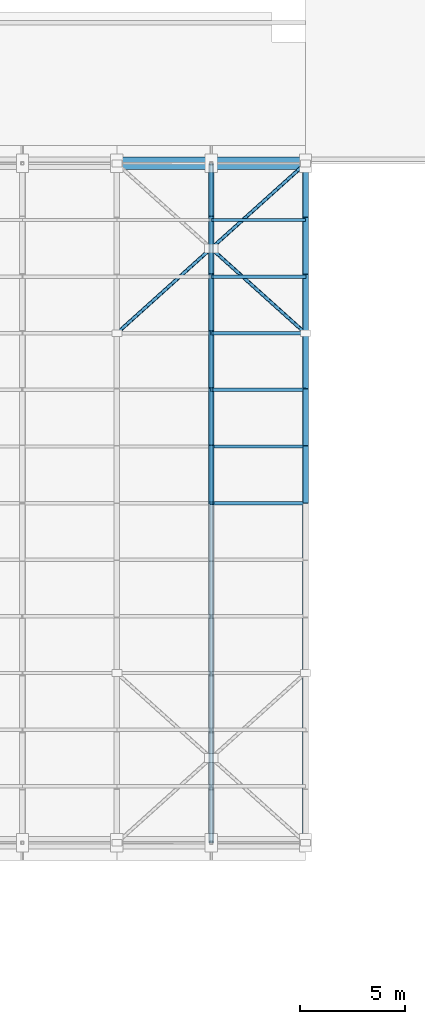
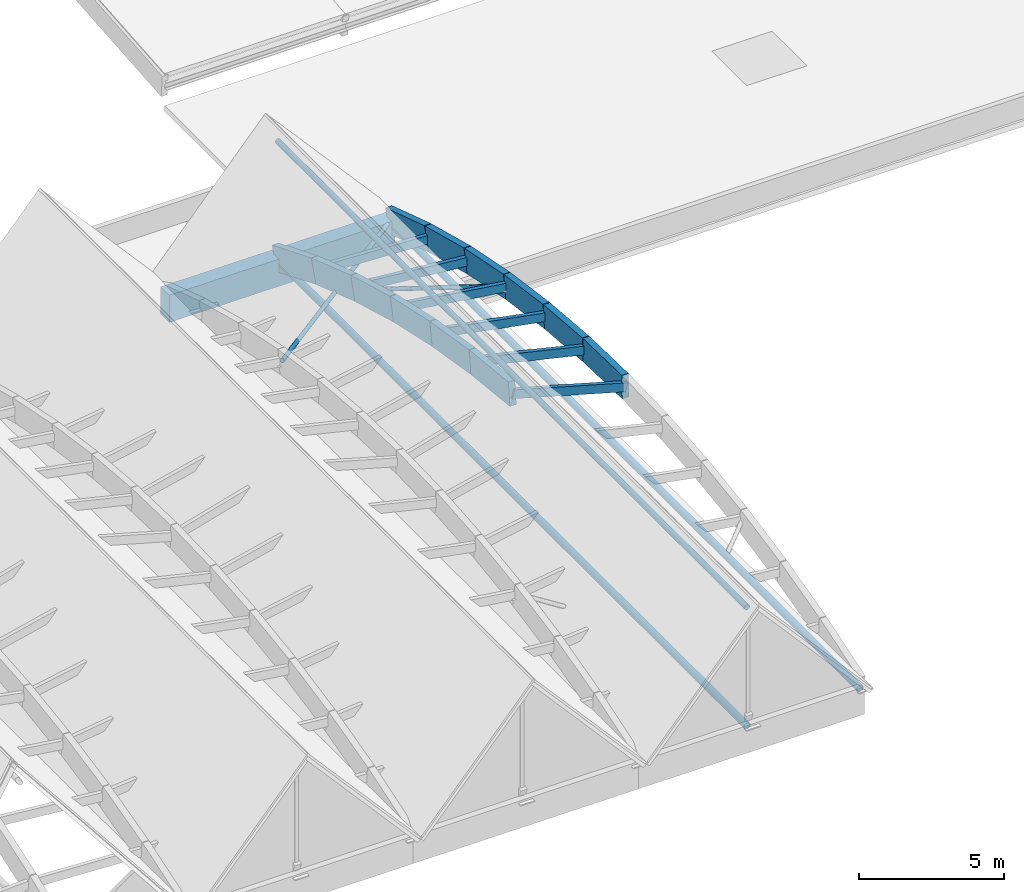
# One storey, part 26 of 39: 23 members, 1 beam.
"""IFC4 building model written with IfcOpenShell, lengths in metres."""

from ifc_helpers import new_model, si_unit, direction, frame, origin, origin_2d, place, context, subcontext, project, spatial, rectangle, hollow_circle, extrude, material, material_profile, profile_set, type_object, element, save


model = new_model("IFC4")

# Units and contexts
model_context = context("Model", 3, precision=1e-05, world=origin(), true_north=direction((0.0, 1.0)))
body_context = subcontext(model_context, "Body", "Model", "MODEL_VIEW")
ifc_project = project(units=[si_unit("LENGTHUNIT", "METRE"), si_unit("AREAUNIT", "SQUARE_METRE"), si_unit("VOLUMEUNIT", "CUBIC_METRE"), si_unit("PLANEANGLEUNIT", "RADIAN"), si_unit("MASSUNIT", "GRAM", prefix="KILO")], contexts=[model_context])

# Site, building, storey
site_placement = place(None, origin())
site = spatial("IfcSite", under=ifc_project, at=site_placement, CompositionType="ELEMENT")
building_placement = place(site_placement, origin())
building = spatial("IfcBuilding", under=site, at=building_placement, Name="Tizgana Railside Sports Hall", CompositionType="ELEMENT")
storey_placement = place(building_placement, frame((0.0, 0.0, 23.699951171875)))
storey = spatial("IfcBuildingStorey", under=building, at=storey_placement, Name="RF", CompositionType="ELEMENT", Elevation=23.699951171875)

# Beam
ifc_material_1 = material(Name="Concrete C40/50", Category="concrete")
ifc_material_profile_1 = material_profile(ifc_material_1, rectangle(XDim=0.60009765625, YDim=1.14990234375, at=origin_2d()), Name="RCB 600x1150")
ifc_profile_set_1 = profile_set([ifc_material_profile_1], Name="Concrete C40/50")
beam_type = type_object("IfcBeamType", Name="Concrete Beam RCB 600x1150", PredefinedType="BEAM", material=ifc_profile_set_1)
beam_placement = place(storey_placement, frame((124.800048828125, 73.199951171875, -3.27490234375), z_axis=(1.0, 0.0, 0.0), x_axis=(0.0, 1.0, 0.0)))
element("IfcBeam", 1, at=beam_placement, inside=storey, type_object=beam_type, Name="RF BEM-1234", PredefinedType="BEAM", context=body_context, shape_type="SweptSolid", body=[
    extrude(rectangle(XDim=0.60009765625, YDim=1.14990234375, at=origin_2d()), origin(), (0.0, 0.0, 1.0), 9.0),
])

# Members
ifc_material_2 = material(Name="Glulam GL32h", Category="wood")
ifc_material_profile_2 = material_profile(ifc_material_2, rectangle(XDim=0.260009765625, YDim=0.97998046875, at=origin_2d()), Name="GL 260x980")
ifc_profile_set_2 = profile_set([ifc_material_profile_2], Name="Glulam GL32h")
member_type_1 = type_object("IfcMemberType", Name="Glulam Arch Segment GL 260x980", PredefinedType="USERDEFINED", material=ifc_profile_set_2)
member_1_placement = place(storey_placement, frame((129.300048828125, 57.0, 1.241455078125), z_axis=(0.0, 0.994336672512, -0.106275969519), x_axis=(-1.0, 0.0, 0.0)))
element("IfcMember", 2, at=member_1_placement, inside=storey, type_object=member_type_1, Name="RF V2 Arch Chord MEM-0555", ObjectType="ARCH_SEGMENT", PredefinedType="USERDEFINED", context=body_context, shape_type="SweptSolid", body=[
    extrude(rectangle(XDim=0.260009765625, YDim=0.97998046875, at=origin_2d()), origin(), (0.0, 0.0, 1.0), 2.71533203125),
])
member_2_placement = place(storey_placement, frame((129.300048828125, 59.699951171875, 0.952880859375), z_axis=(0.0, 0.986912309377, -0.161257848182), x_axis=(-1.0, 0.0, 0.0)))
element("IfcMember", 3, at=member_2_placement, inside=storey, type_object=member_type_1, Name="RF V2 Arch Chord MEM-0556", ObjectType="ARCH_SEGMENT", PredefinedType="USERDEFINED", context=body_context, shape_type="SweptSolid", body=[
    extrude(rectangle(XDim=0.260009765625, YDim=0.97998046875, at=origin_2d()), origin(), (0.0, 0.0, 1.0), 2.73583984375),
])
member_3_placement = place(storey_placement, frame((129.300048828125, 62.39990234375, 0.51171875), z_axis=(0.0, 0.976481148201, -0.21560279963), x_axis=(-1.0, 0.0, 0.0)))
element("IfcMember", 4, at=member_3_placement, inside=storey, type_object=member_type_1, Name="RF V2 Arch Chord MEM-0557", ObjectType="ARCH_SEGMENT", PredefinedType="USERDEFINED", context=body_context, shape_type="SweptSolid", body=[
    extrude(rectangle(XDim=0.260009765625, YDim=0.97998046875, at=origin_2d()), origin(), (0.0, 0.0, 1.0), 2.76513671875),
])
member_4_placement = place(storey_placement, frame((129.300048828125, 65.10009765625, -0.08447265625), z_axis=(0.0, 0.963066151939, -0.269264901148), x_axis=(-1.0, 0.0, 0.0)))
element("IfcMember", 5, at=member_4_placement, inside=storey, type_object=member_type_1, Name="RF V2 Arch Chord MEM-0558", ObjectType="ARCH_SEGMENT", PredefinedType="USERDEFINED", context=body_context, shape_type="SweptSolid", body=[
    extrude(rectangle(XDim=0.260009765625, YDim=0.97998046875, at=origin_2d()), origin(), (0.0, 0.0, 1.0), 2.803466796875),
])
member_5_placement = place(storey_placement, frame((129.300048828125, 67.800048828125, -0.83935546875), z_axis=(0.0, 0.946643794117, -0.322281751049), x_axis=(-1.0, 0.0, 0.0)))
element("IfcMember", 6, at=member_5_placement, inside=storey, type_object=member_type_1, Name="RF V2 Arch Chord MEM-0559", ObjectType="ARCH_SEGMENT", PredefinedType="USERDEFINED", context=body_context, shape_type="SweptSolid", body=[
    extrude(rectangle(XDim=0.260009765625, YDim=0.97998046875, at=origin_2d()), origin(), (0.0, 0.0, 1.0), 2.85205078125),
])
member_6_placement = place(storey_placement, frame((129.300048828125, 70.5, -1.758544921875), z_axis=(0.0, 0.927129277991, -0.37474164686), x_axis=(-1.0, 0.0, 0.0)))
element("IfcMember", 7, at=member_6_placement, inside=storey, type_object=member_type_1, Name="RF V2 Arch Chord MEM-0560", ObjectType="ARCH_SEGMENT", PredefinedType="USERDEFINED", context=body_context, shape_type="SweptSolid", body=[
    extrude(rectangle(XDim=0.260009765625, YDim=0.97998046875, at=origin_2d()), origin(), (0.0, 0.0, 1.0), 2.912109375),
])
member_7_placement = place(storey_placement, frame((133.800048828125, 57.0, -0.033447265625), z_axis=(0.0, 0.999602270029, -0.028201094877), x_axis=(-1.0, 0.0, 0.0)))
element("IfcMember", 8, at=member_7_placement, inside=storey, type_object=member_type_1, Name="RF V2 Arch Chord MEM-0568", ObjectType="ARCH_SEGMENT", PredefinedType="USERDEFINED", context=body_context, shape_type="SweptSolid", body=[
    extrude(rectangle(XDim=0.260009765625, YDim=0.97998046875, at=origin_2d()), origin(), (0.0, 0.0, 1.0), 2.700927734375),
])
member_8_placement = place(storey_placement, frame((133.800048828125, 59.699951171875, -0.109619140625), z_axis=(0.0, 0.996437422353, -0.084335421586), x_axis=(-1.0, 0.0, 0.0)))
element("IfcMember", 9, at=member_8_placement, inside=storey, type_object=member_type_1, Name="RF V2 Arch Chord MEM-0569", ObjectType="ARCH_SEGMENT", PredefinedType="USERDEFINED", context=body_context, shape_type="SweptSolid", body=[
    extrude(rectangle(XDim=0.260009765625, YDim=0.97998046875, at=origin_2d()), origin(), (0.0, 0.0, 1.0), 2.709716796875),
])
member_9_placement = place(storey_placement, frame((133.800048828125, 62.39990234375, -0.338134765625), z_axis=(0.0, 0.990049503072, -0.140719513456), x_axis=(-1.0, 0.0, 0.0)))
element("IfcMember", 10, at=member_9_placement, inside=storey, type_object=member_type_1, Name="RF V2 Arch Chord MEM-0570", ObjectType="ARCH_SEGMENT", PredefinedType="USERDEFINED", context=body_context, shape_type="SweptSolid", body=[
    extrude(rectangle(XDim=0.260009765625, YDim=0.97998046875, at=origin_2d()), origin(), (0.0, 0.0, 1.0), 2.727294921875),
])
member_10_placement = place(storey_placement, frame((133.800048828125, 65.10009765625, -0.721923828125), z_axis=(0.0, 0.980406395207, -0.196985533064), x_axis=(-1.0, 0.0, 0.0)))
element("IfcMember", 11, at=member_10_placement, inside=storey, type_object=member_type_1, Name="RF V2 Arch Chord MEM-0571", ObjectType="ARCH_SEGMENT", PredefinedType="USERDEFINED", context=body_context, shape_type="SweptSolid", body=[
    extrude(rectangle(XDim=0.260009765625, YDim=0.97998046875, at=origin_2d()), origin(), (0.0, 0.0, 1.0), 2.75390625),
])
member_11_placement = place(storey_placement, frame((133.800048828125, 67.800048828125, -1.264404296875), z_axis=(0.0, 0.96740233444, -0.253244394448), x_axis=(-1.0, 0.0, 0.0)))
element("IfcMember", 12, at=member_11_placement, inside=storey, type_object=member_type_1, Name="RF V2 Arch Chord MEM-0572", ObjectType="ARCH_SEGMENT", PredefinedType="USERDEFINED", context=body_context, shape_type="SweptSolid", body=[
    extrude(rectangle(XDim=0.260009765625, YDim=0.97998046875, at=origin_2d()), origin(), (0.0, 0.0, 1.0), 2.791015625),
])
member_12_placement = place(storey_placement, frame((133.800048828125, 70.5, -1.97119140625), z_axis=(0.0, 0.950912040346, -0.30946129245), x_axis=(-1.0, 0.0, 0.0)))
element("IfcMember", 13, at=member_12_placement, inside=storey, type_object=member_type_1, Name="RF V2 Arch Chord MEM-0573", ObjectType="ARCH_SEGMENT", PredefinedType="USERDEFINED", context=body_context, shape_type="SweptSolid", body=[
    extrude(rectangle(XDim=0.260009765625, YDim=0.97998046875, at=origin_2d()), origin(), (0.0, 0.0, 1.0), 2.83935546875),
])
ifc_material_3 = material(Name="Glulam GL28h", Category="wood")
ifc_material_profile_3 = material_profile(ifc_material_3, rectangle(XDim=0.159912109375, YDim=0.360107421875, at=origin_2d()), Name="GL 160x360")
ifc_profile_set_3 = profile_set([ifc_material_profile_3], Name="Glulam GL28h")
member_type_2 = type_object("IfcMemberType", Name="Glulam Roof Purlin GL 160x360", PredefinedType="PURLIN", material=ifc_profile_set_3)
member_13_placement = place(storey_placement, frame((129.300048828125, 57.0, 1.241455078125), z_axis=(0.962132202387, 0.0, -0.272583244405), x_axis=(0.0, 1.0, 0.0)))
element("IfcMember", 14, at=member_13_placement, inside=storey, type_object=member_type_2, Name="RF V2 Purlin MEM-0719", PredefinedType="PURLIN", context=body_context, shape_type="SweptSolid", body=[
    extrude(rectangle(XDim=0.159912109375, YDim=0.360107421875, at=origin_2d()), origin(), (0.0, 0.0, 1.0), 4.677001953125),
])
member_14_placement = place(storey_placement, frame((129.300048828125, 59.699951171875, 0.952880859375), z_axis=(0.97323960179, 0.0, -0.229792683756), x_axis=(0.0, 1.0, 0.0)))
element("IfcMember", 15, at=member_14_placement, inside=storey, type_object=member_type_2, Name="RF V2 Purlin MEM-0721", PredefinedType="PURLIN", context=body_context, shape_type="SweptSolid", body=[
    extrude(rectangle(XDim=0.159912109375, YDim=0.360107421875, at=origin_2d()), origin(), (0.0, 0.0, 1.0), 4.623779296875),
])
member_15_placement = place(storey_placement, frame((129.300048828125, 62.39990234375, 0.51171875), z_axis=(0.982629934955, 0.0, -0.185575889951), x_axis=(0.0, 1.0, 0.0)))
element("IfcMember", 16, at=member_15_placement, inside=storey, type_object=member_type_2, Name="RF V2 Purlin MEM-0723", PredefinedType="PURLIN", context=body_context, shape_type="SweptSolid", body=[
    extrude(rectangle(XDim=0.159912109375, YDim=0.360107421875, at=origin_2d()), origin(), (0.0, 0.0, 1.0), 4.57958984375),
])
member_16_placement = place(storey_placement, frame((129.300048828125, 65.10009765625, -0.08447265625), z_axis=(0.990115330681, 0.0, -0.140255595074), x_axis=(0.0, 1.0, 0.0)))
element("IfcMember", 17, at=member_16_placement, inside=storey, type_object=member_type_2, Name="RF V2 Purlin MEM-0725", PredefinedType="PURLIN", context=body_context, shape_type="SweptSolid", body=[
    extrude(rectangle(XDim=0.159912109375, YDim=0.360107421875, at=origin_2d()), origin(), (0.0, 0.0, 1.0), 4.544921875),
])
member_17_placement = place(storey_placement, frame((129.300048828125, 67.800048828125, -0.83935546875), z_axis=(0.995568727865, 0.0, -0.094036738022), x_axis=(0.0, 1.0, 0.0)))
element("IfcMember", 18, at=member_17_placement, inside=storey, type_object=member_type_2, Name="RF V2 Purlin MEM-0727", PredefinedType="PURLIN", context=body_context, shape_type="SweptSolid", body=[
    extrude(rectangle(XDim=0.159912109375, YDim=0.360107421875, at=origin_2d()), origin(), (0.0, 0.0, 1.0), 4.52001953125),
])
member_18_placement = place(storey_placement, frame((129.300048828125, 70.5, -1.758544921875), z_axis=(0.998885359561, 0.0, -0.047202102223), x_axis=(0.0, 1.0, 0.0)))
element("IfcMember", 19, at=member_18_placement, inside=storey, type_object=member_type_2, Name="RF V2 Purlin MEM-0729", PredefinedType="PURLIN", context=body_context, shape_type="SweptSolid", body=[
    extrude(rectangle(XDim=0.159912109375, YDim=0.360107421875, at=origin_2d()), origin(), (0.0, 0.0, 1.0), 4.505126953125),
])
ifc_material_4 = material(Name="Steel S355J2", Category="steel")
ifc_material_profile_4 = material_profile(ifc_material_4, hollow_circle(Radius=0.084228515625, WallThickness=0.008056640625, at=origin_2d()), Name="CHS 168.3x8")
ifc_profile_set_4 = profile_set([ifc_material_profile_4], Name="Steel S355J2")
member_type_3 = type_object("IfcMemberType", Name="Steel Brace CHS 168.3x8", PredefinedType="BRACE", material=ifc_profile_set_4)
member_19_placement = place(storey_placement, frame((124.800048828125, 65.10009765625, -0.721923828125), z_axis=(0.732080706849, 0.658860720788, -0.173090696639), x_axis=(-0.668958047626, 0.743300161789, 0.0)))
element("IfcMember", 20, at=member_19_placement, inside=storey, type_object=member_type_3, Name="RF V2 Continuous Wind Brace MEM-0733", PredefinedType="BRACE", context=body_context, shape_type="SweptSolid", body=[
    extrude(hollow_circle(Radius=0.084228515625, WallThickness=0.008056640625, at=origin_2d()), origin(), (0.0, 0.0, 1.0), 12.293701171875),
])
member_20_placement = place(storey_placement, frame((133.800048828125, 65.10009765625, -0.721923828125), z_axis=(-0.732069476291, 0.658870657348, -0.173100371948), x_axis=(-0.668969291431, -0.743290042394, 0.0)))
element("IfcMember", 21, at=member_20_placement, inside=storey, type_object=member_type_3, Name="RF V2 Split Wind Brace MEM-0734", PredefinedType="BRACE", context=body_context, shape_type="SweptSolid", body=[
    extrude(hollow_circle(Radius=0.084228515625, WallThickness=0.008056640625, at=origin_2d()), origin(), (0.0, 0.0, 1.0), 6.0068359375),
])
ifc_material_profile_5 = material_profile(ifc_material_4, hollow_circle(Radius=0.109619140625, WallThickness=0.010009765625, at=origin_2d()), Name="CHS 219.1x10")
ifc_profile_set_5 = profile_set([ifc_material_profile_5], Name="Steel S355J2")
member_type_4 = type_object("IfcMemberType", Name="Steel Chord CHS 219.1x10", PredefinedType="CHORD", material=ifc_profile_set_5)
member_21_placement = place(storey_placement, frame((129.300048828125, 40.800048828125, 2.050048828125), z_axis=(0.0, 1.0, 0.0), x_axis=(-1.0, 0.0, 0.0)))
element("IfcMember", 22, at=member_21_placement, inside=storey, type_object=member_type_4, Name="RF V2 Ridge Chord MEM-0707", PredefinedType="CHORD", context=body_context, shape_type="SweptSolid", body=[
    extrude(hollow_circle(Radius=0.109619140625, WallThickness=0.010009765625, at=origin_2d()), origin(), (0.0, 0.0, 1.0), 32.39990234375),
])
ifc_material_profile_6 = material_profile(ifc_material_4, hollow_circle(Radius=0.136474609375, WallThickness=0.012451171875, at=origin_2d()), Name="CHS 273x12.5")
ifc_profile_set_6 = profile_set([ifc_material_profile_6], Name="Steel S355J2")
member_type_5 = type_object("IfcMemberType", Name="Steel Chord CHS 273x12.5", PredefinedType="CHORD", material=ifc_profile_set_6)
for number, where, z_axis, x_axis, name in (
    (23, (129.300048828125, 40.800048828125, -2.949951171875), (0.0, 1.0, 0.0), (-1.0, 0.0, 0.0), "RF V2 Tie Chord MEM-0548"),
    (24, (133.800048828125, 40.800048828125, -2.949951171875), (0.0, 1.0, 0.0), (-1.0, 0.0, 0.0), "RF V2 Tie Chord MEM-0561"),
):
    element("IfcMember", number, at=place(storey_placement, frame(where, z_axis=z_axis, x_axis=x_axis)), inside=storey, type_object=member_type_5, Name=name, PredefinedType="CHORD", context=body_context, shape_type="SweptSolid", body=[
        extrude(hollow_circle(Radius=0.136474609375, WallThickness=0.012451171875, at=origin_2d()), origin(), (0.0, 0.0, 1.0), 32.39990234375),
    ])

save(model, "model.ifc")
